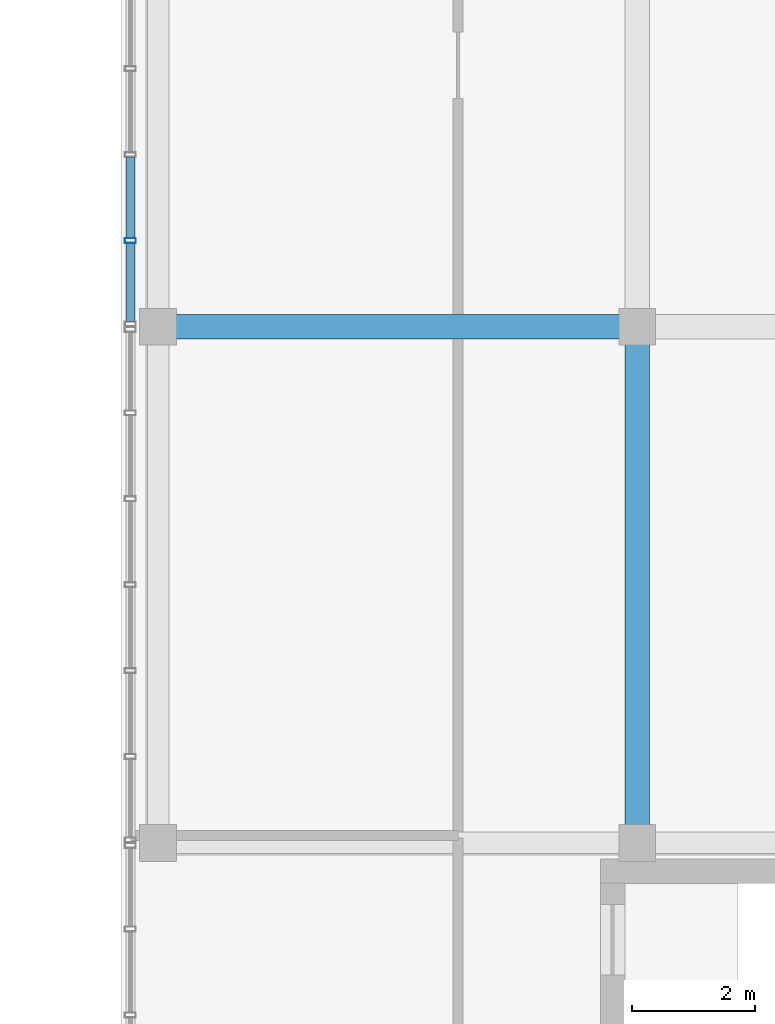
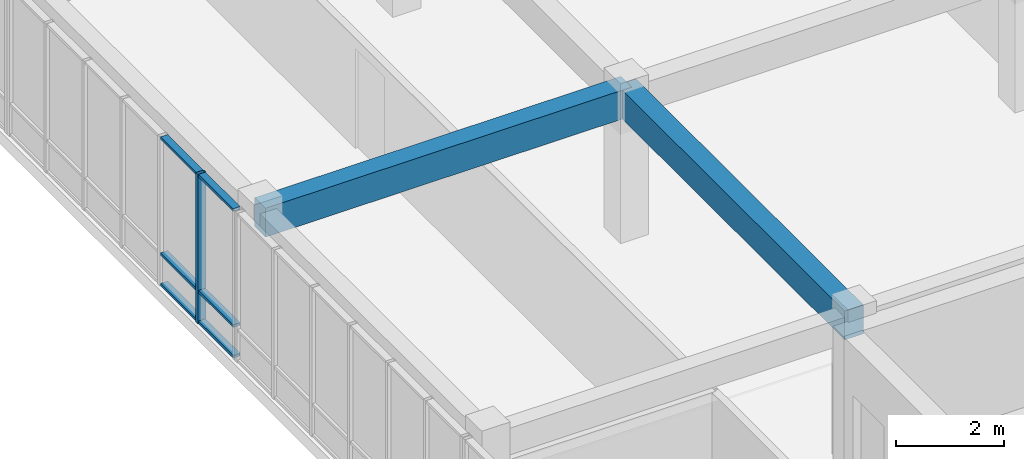
# One storey, part 27 of 144: 7 members, 2 beams, 1 element without a shape of its own.
"""IFC4 building model written with IfcOpenShell, lengths in metres."""

from ifc_helpers import new_model, si_unit, direction, frame, origin, origin_2d, place, context, subcontext, project, spatial, rectangle, hollow_rectangle, extrude, material, layer, layer_set, material_profile, profile_set, type_object, element, aggregate, save


model = new_model("IFC4")

# Units and contexts
model_context = context("Model", 3, precision=1e-05, world=origin(), true_north=direction((0.0, 1.0)))
body_context = subcontext(model_context, "Body", "Model", "MODEL_VIEW")
ifc_project = project(units=[si_unit("LENGTHUNIT", "METRE"), si_unit("AREAUNIT", "SQUARE_METRE"), si_unit("VOLUMEUNIT", "CUBIC_METRE"), si_unit("PLANEANGLEUNIT", "RADIAN"), si_unit("MASSUNIT", "GRAM", prefix="KILO")], contexts=[model_context])

# Site, building, storey
site_placement = place(None, origin())
site = spatial("IfcSite", under=ifc_project, at=site_placement, CompositionType="ELEMENT")
building_placement = place(site_placement, origin())
building = spatial("IfcBuilding", under=site, at=building_placement, Name="Zayran Congress Hotel", CompositionType="ELEMENT")
storey_placement = place(building_placement, frame((0.0, 0.0, 19.199951171875)))
storey = spatial("IfcBuildingStorey", under=building, at=storey_placement, Name="L04", CompositionType="ELEMENT", Elevation=19.199951171875)

# Beams
ifc_material_1 = material(Name="Concrete C40/50", Category="concrete")
ifc_material_profile_1 = material_profile(ifc_material_1, rectangle(XDim=0.39990234375, YDim=0.64990234375, at=origin_2d()), Name="RC 400x650")
ifc_profile_set_1 = profile_set([ifc_material_profile_1], Name="Concrete C40/50")
beam_type = type_object("IfcBeamType", Name="TP-BM-03", PredefinedType="BEAM", material=ifc_profile_set_1)
beam_1_placement = place(storey_placement, frame((109.800048828125, 67.60009765625, 3.03515625), z_axis=(1.0, 0.0, 0.0), x_axis=(0.0, 1.0, 0.0)))
element("IfcBeam", 1, at=beam_1_placement, inside=storey, type_object=beam_type, Name="BM-V4-L04-1563", PredefinedType="BEAM", context=body_context, shape_type="SweptSolid", body=[
    extrude(rectangle(XDim=0.39990234375, YDim=0.64990234375, at=origin_2d()), origin(), (0.0, 0.0, 1.0), 7.800048828125),
])
beam_2_placement = place(storey_placement, frame((117.60009765625, 59.199951171875, 3.03515625), z_axis=(0.0, 1.0, 0.0), x_axis=(-1.0, 0.0, 0.0)))
element("IfcBeam", 2, at=beam_2_placement, inside=storey, type_object=beam_type, Name="BM-V4-L04-1575", PredefinedType="BEAM", context=body_context, shape_type="SweptSolid", body=[
    extrude(rectangle(XDim=0.39990234375, YDim=0.64990234375, at=origin_2d()), origin(), (0.0, 0.0, 1.0), 8.400146484375),
])

# Curtain wall, members
ifc_material_2 = material(Name="Anodised aluminium and low-E insulated glass", Category="aluminium")
ifc_layer = layer(ifc_material_2, 0.179931640625)
ifc_layer_set = layer_set([ifc_layer], Name="Anodised aluminium and low-E insulated glass")
curtain_wall_type = type_object("IfcCurtainWallType", Name="CW-V4W-L04-CW-53-8390-3360", PredefinedType="USERDEFINED", material=ifc_layer_set)
curtain_wall_placement = place(storey_placement, origin())
curtain_wall = element("IfcCurtainWall", 3, at=curtain_wall_placement, inside=storey, type_object=curtain_wall_type, Name="CW-V4W-L04-2", ObjectType="CURTAIN WALL", PredefinedType="USERDEFINED")
ifc_material_3 = material(Name="Anodised aluminium framing", Category="aluminium")
ifc_material_profile_2 = material_profile(ifc_material_3, hollow_rectangle(XDim=0.080078125, YDim=0.179931640625, WallThickness=0.0048828125, at=origin_2d()), Name="RHS 180x80x5")
ifc_profile_set_2 = profile_set([ifc_material_profile_2], Name="Anodised aluminium framing")
member_type_1 = type_object("IfcMemberType", Name="TP-CWM-01", PredefinedType="MULLION", material=ifc_profile_set_2)
member_1_placement = place(storey_placement, frame((109.35009765625, 69.00341796875, 0.0), z_axis=(0.0, 0.0, 1.0), x_axis=(0.0, 1.0, 0.0)))
member_1 = element("IfcMember", 4, at=member_1_placement, type_object=member_type_1, Name="CW-V4W-L04-2-M05", PredefinedType="MULLION", context=body_context, shape_type="SweptSolid", body=[
    extrude(hollow_rectangle(XDim=0.080078125, YDim=0.179931640625, WallThickness=0.0048828125, at=origin_2d()), origin(), (0.0, 0.0, 1.0), 3.360107421875),
])
ifc_material_profile_3 = material_profile(ifc_material_3, hollow_rectangle(XDim=0.06005859375, YDim=0.14990234375, WallThickness=0.00390625, at=origin_2d()), Name="RHS 150x60x4")
ifc_profile_set_3 = profile_set([ifc_material_profile_3], Name="Anodised aluminium framing")
member_type_2 = type_object("IfcMemberType", Name="TP-CWT-01", PredefinedType="USERDEFINED", material=ifc_profile_set_3)
member_2_placement = place(storey_placement, frame((109.35009765625, 70.36181640625, 0.030029296875), z_axis=(0.0, -1.0, 0.0), x_axis=(0.0, 0.0, 1.0)))
member_2 = element("IfcMember", 5, at=member_2_placement, type_object=member_type_2, Name="CW-V4W-L04-2-T04-0", ObjectType="TRANSOM", PredefinedType="USERDEFINED", context=body_context, shape_type="SweptSolid", body=[
    extrude(hollow_rectangle(XDim=0.06005859375, YDim=0.14990234375, WallThickness=0.00390625, at=origin_2d()), origin(), (0.0, 0.0, 1.0), 1.318603515625),
])
member_3_placement = place(storey_placement, frame((109.35009765625, 70.36181640625, 0.719970703125), z_axis=(0.0, -1.0, 0.0), x_axis=(0.0, 0.0, 1.0)))
member_3 = element("IfcMember", 6, at=member_3_placement, type_object=member_type_2, Name="CW-V4W-L04-2-T04-1", ObjectType="TRANSOM", PredefinedType="USERDEFINED", context=body_context, shape_type="SweptSolid", body=[
    extrude(hollow_rectangle(XDim=0.06005859375, YDim=0.14990234375, WallThickness=0.00390625, at=origin_2d()), origin(), (0.0, 0.0, 1.0), 1.318603515625),
])
member_4_placement = place(storey_placement, frame((109.35009765625, 70.36181640625, 3.330078125), z_axis=(0.0, -1.0, 0.0), x_axis=(0.0, 0.0, 1.0)))
member_4 = element("IfcMember", 7, at=member_4_placement, type_object=member_type_2, Name="CW-V4W-L04-2-T04-2", ObjectType="TRANSOM", PredefinedType="USERDEFINED", context=body_context, shape_type="SweptSolid", body=[
    extrude(hollow_rectangle(XDim=0.06005859375, YDim=0.14990234375, WallThickness=0.00390625, at=origin_2d()), origin(), (0.0, 0.0, 1.0), 1.318603515625),
])
member_5_placement = place(storey_placement, frame((109.35009765625, 68.96337890625, 0.030029296875), z_axis=(0.0, -1.0, 0.0), x_axis=(0.0, 0.0, 1.0)))
member_5 = element("IfcMember", 8, at=member_5_placement, type_object=member_type_2, Name="CW-V4W-L04-2-T05-0", ObjectType="TRANSOM", PredefinedType="USERDEFINED", context=body_context, shape_type="SweptSolid", body=[
    extrude(hollow_rectangle(XDim=0.06005859375, YDim=0.14990234375, WallThickness=0.00390625, at=origin_2d()), origin(), (0.0, 0.0, 1.0), 1.2783203125),
])
member_6_placement = place(storey_placement, frame((109.35009765625, 68.96337890625, 0.719970703125), z_axis=(0.0, -1.0, 0.0), x_axis=(0.0, 0.0, 1.0)))
member_6 = element("IfcMember", 9, at=member_6_placement, type_object=member_type_2, Name="CW-V4W-L04-2-T05-1", ObjectType="TRANSOM", PredefinedType="USERDEFINED", context=body_context, shape_type="SweptSolid", body=[
    extrude(hollow_rectangle(XDim=0.06005859375, YDim=0.14990234375, WallThickness=0.00390625, at=origin_2d()), origin(), (0.0, 0.0, 1.0), 1.2783203125),
])
member_7_placement = place(storey_placement, frame((109.35009765625, 68.96337890625, 3.330078125), z_axis=(0.0, -1.0, 0.0), x_axis=(0.0, 0.0, 1.0)))
member_7 = element("IfcMember", 10, at=member_7_placement, type_object=member_type_2, Name="CW-V4W-L04-2-T05-2", ObjectType="TRANSOM", PredefinedType="USERDEFINED", context=body_context, shape_type="SweptSolid", body=[
    extrude(hollow_rectangle(XDim=0.06005859375, YDim=0.14990234375, WallThickness=0.00390625, at=origin_2d()), origin(), (0.0, 0.0, 1.0), 1.2783203125),
])
aggregate(curtain_wall, [member_1, member_2, member_3, member_4, member_5, member_6, member_7])

save(model, "model.ifc")
